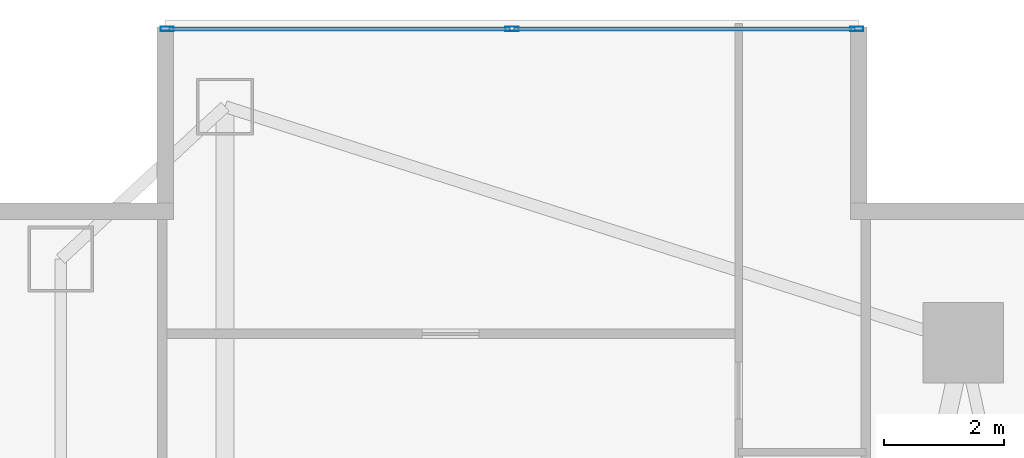
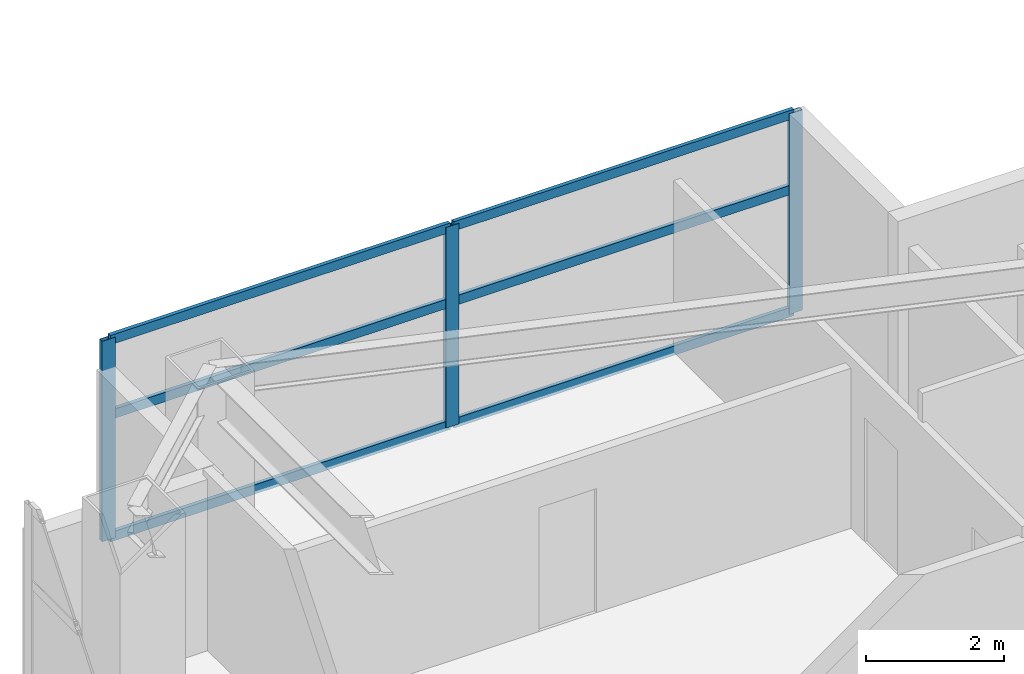
# One storey, part 19 of 29: 9 members, 1 element without a shape of its own.
"""IFC4 building model written with IfcOpenShell, lengths in metres."""

from ifc_helpers import new_model, si_unit, direction, frame, origin, origin_2d, place, context, subcontext, project, spatial, hollow_rectangle, extrude, material, layer, layer_set, material_profile, profile_set, type_object, element, aggregate, save


model = new_model("IFC4")

# Units and contexts
model_context = context("Model", 3, precision=1e-05, world=origin(), true_north=direction((0.0, 1.0)))
body_context = subcontext(model_context, "Body", "Model", "MODEL_VIEW")
ifc_project = project(units=[si_unit("LENGTHUNIT", "METRE"), si_unit("AREAUNIT", "SQUARE_METRE"), si_unit("VOLUMEUNIT", "CUBIC_METRE"), si_unit("PLANEANGLEUNIT", "RADIAN"), si_unit("MASSUNIT", "GRAM", prefix="KILO")], contexts=[model_context])

# Site, building, storey
site_placement = place(None, origin())
site = spatial("IfcSite", under=ifc_project, at=site_placement, CompositionType="ELEMENT")
building_placement = place(site_placement, origin())
building = spatial("IfcBuilding", under=site, at=building_placement, Name="Calvorn Quay Hotel", CompositionType="ELEMENT")
storey_placement = place(building_placement, frame((0.0, 0.0, 81.199951171875)))
storey = spatial("IfcBuildingStorey", under=building, at=storey_placement, Name="L19", CompositionType="ELEMENT", Elevation=81.199951171875)

# Curtain wall, members
ifc_material_1 = material(Name="Pale Anodised Aluminium and Low-E Glass", Category="aluminium")
ifc_layer = layer(ifc_material_1, 0.219970703125)
ifc_layer_set = layer_set([ifc_layer], Name="CW-SYS-Z1")
curtain_wall_type = type_object("IfcCurtainWallType", Name="CW-SYS-Z1", PredefinedType="NOTDEFINED", material=ifc_layer_set)
curtain_wall_placement = place(storey_placement, origin())
curtain_wall = element("IfcCurtainWall", 1, at=curtain_wall_placement, inside=storey, type_object=curtain_wall_type, Name="Inner Court Curtain Wall L19-N1", PredefinedType="NOTDEFINED")
ifc_material_2 = material(Name="Pale Anodised Aluminium 6063-T6", Category="aluminium")
ifc_material_profile_1 = material_profile(ifc_material_2, hollow_rectangle(XDim=0.074951171875, YDim=0.219970703125, WallThickness=0.00439453125, at=origin_2d()), Name="ALU-M220x75x4.5")
ifc_profile_set_1 = profile_set([ifc_material_profile_1], Name="Pale Anodised Aluminium 6063-T6")
member_type_1 = type_object("IfcMemberType", Name="CW-SYS-Z1-MUL", PredefinedType="MULLION", material=ifc_profile_set_1)
member_1_placement = place(storey_placement, frame((14.77001953125, 50.85009765625, 0.0), z_axis=(0.0, 0.0, 1.0), x_axis=(0.0, -1.0, 0.0)))
member_1 = element("IfcMember", 2, at=member_1_placement, type_object=member_type_1, Name="CW-L19-N1 mullion 1", PredefinedType="MULLION", context=body_context, shape_type="SweptSolid", body=[
    extrude(hollow_rectangle(XDim=0.074951171875, YDim=0.219970703125, WallThickness=0.00439453125, at=origin_2d()), origin(), (0.0, 0.0, 1.0), 3.56005859375),
])
member_2_placement = place(storey_placement, frame((9.0, 50.85009765625, 0.0), z_axis=(0.0, 0.0, 1.0), x_axis=(0.0, -1.0, 0.0)))
member_2 = element("IfcMember", 3, at=member_2_placement, type_object=member_type_1, Name="CW-L19-N1 mullion 2", PredefinedType="MULLION", context=body_context, shape_type="SweptSolid", body=[
    extrude(hollow_rectangle(XDim=0.074951171875, YDim=0.219970703125, WallThickness=0.00439453125, at=origin_2d()), origin(), (0.0, 0.0, 1.0), 3.56005859375),
])
member_3_placement = place(storey_placement, frame((3.22998046875, 50.85009765625, 0.0), z_axis=(0.0, 0.0, 1.0), x_axis=(0.0, -1.0, 0.0)))
member_3 = element("IfcMember", 4, at=member_3_placement, type_object=member_type_1, Name="CW-L19-N1 mullion 3", PredefinedType="MULLION", context=body_context, shape_type="SweptSolid", body=[
    extrude(hollow_rectangle(XDim=0.074951171875, YDim=0.219970703125, WallThickness=0.00439453125, at=origin_2d()), origin(), (0.0, 0.0, 1.0), 3.56005859375),
])
ifc_material_3 = material(Name="Pale Anodised Aluminium 6063-T6", Category="aluminium")
ifc_material_profile_2 = material_profile(ifc_material_3, hollow_rectangle(XDim=0.06494140625, YDim=0.1650390625, WallThickness=0.00341796875, at=origin_2d()), Name="ALU-T165x65x3.5")
ifc_profile_set_2 = profile_set([ifc_material_profile_2], Name="Pale Anodised Aluminium 6063-T6")
member_type_2 = type_object("IfcMemberType", Name="CW-SYS-Z1-TRN", PredefinedType="USERDEFINED", material=ifc_profile_set_2)
member_4_placement = place(storey_placement, frame((14.739990234375, 50.85009765625, 0.030029296875), z_axis=(-1.0, 0.0, 0.0), x_axis=(0.0, -1.0, 0.0)))
member_4 = element("IfcMember", 5, at=member_4_placement, type_object=member_type_2, Name="CW-L19-N1 transom 1.1", ObjectType="TRANSOM", PredefinedType="USERDEFINED", context=body_context, shape_type="SweptSolid", body=[
    extrude(hollow_rectangle(XDim=0.06494140625, YDim=0.1650390625, WallThickness=0.00341796875, at=origin_2d()), origin(), (0.0, 0.0, 1.0), 5.7099609375),
])
member_5_placement = place(storey_placement, frame((14.739990234375, 50.85009765625, 2.199951171875), z_axis=(-1.0, 0.0, 0.0), x_axis=(0.0, -1.0, 0.0)))
member_5 = element("IfcMember", 6, at=member_5_placement, type_object=member_type_2, Name="CW-L19-N1 transom 1.2", ObjectType="TRANSOM", PredefinedType="USERDEFINED", context=body_context, shape_type="SweptSolid", body=[
    extrude(hollow_rectangle(XDim=0.06494140625, YDim=0.1650390625, WallThickness=0.00341796875, at=origin_2d()), origin(), (0.0, 0.0, 1.0), 5.7099609375),
])
member_6_placement = place(storey_placement, frame((14.739990234375, 50.85009765625, 3.530029296875), z_axis=(-1.0, 0.0, 0.0), x_axis=(0.0, -1.0, 0.0)))
member_6 = element("IfcMember", 7, at=member_6_placement, type_object=member_type_2, Name="CW-L19-N1 transom 1.3", ObjectType="TRANSOM", PredefinedType="USERDEFINED", context=body_context, shape_type="SweptSolid", body=[
    extrude(hollow_rectangle(XDim=0.06494140625, YDim=0.1650390625, WallThickness=0.00341796875, at=origin_2d()), origin(), (0.0, 0.0, 1.0), 5.7099609375),
])
member_7_placement = place(storey_placement, frame((8.969970703125, 50.85009765625, 0.030029296875), z_axis=(-1.0, 0.0, 0.0), x_axis=(0.0, -1.0, 0.0)))
member_7 = element("IfcMember", 8, at=member_7_placement, type_object=member_type_2, Name="CW-L19-N1 transom 2.1", ObjectType="TRANSOM", PredefinedType="USERDEFINED", context=body_context, shape_type="SweptSolid", body=[
    extrude(hollow_rectangle(XDim=0.06494140625, YDim=0.1650390625, WallThickness=0.00341796875, at=origin_2d()), origin(), (0.0, 0.0, 1.0), 5.7099609375),
])
member_8_placement = place(storey_placement, frame((8.969970703125, 50.85009765625, 2.199951171875), z_axis=(-1.0, 0.0, 0.0), x_axis=(0.0, -1.0, 0.0)))
member_8 = element("IfcMember", 9, at=member_8_placement, type_object=member_type_2, Name="CW-L19-N1 transom 2.2", ObjectType="TRANSOM", PredefinedType="USERDEFINED", context=body_context, shape_type="SweptSolid", body=[
    extrude(hollow_rectangle(XDim=0.06494140625, YDim=0.1650390625, WallThickness=0.00341796875, at=origin_2d()), origin(), (0.0, 0.0, 1.0), 5.7099609375),
])
member_9_placement = place(storey_placement, frame((8.969970703125, 50.85009765625, 3.530029296875), z_axis=(-1.0, 0.0, 0.0), x_axis=(0.0, -1.0, 0.0)))
member_9 = element("IfcMember", 10, at=member_9_placement, type_object=member_type_2, Name="CW-L19-N1 transom 2.3", ObjectType="TRANSOM", PredefinedType="USERDEFINED", context=body_context, shape_type="SweptSolid", body=[
    extrude(hollow_rectangle(XDim=0.06494140625, YDim=0.1650390625, WallThickness=0.00341796875, at=origin_2d()), origin(), (0.0, 0.0, 1.0), 5.7099609375),
])
aggregate(curtain_wall, [member_1, member_2, member_3, member_4, member_5, member_6, member_7, member_8, member_9])

save(model, "model.ifc")
